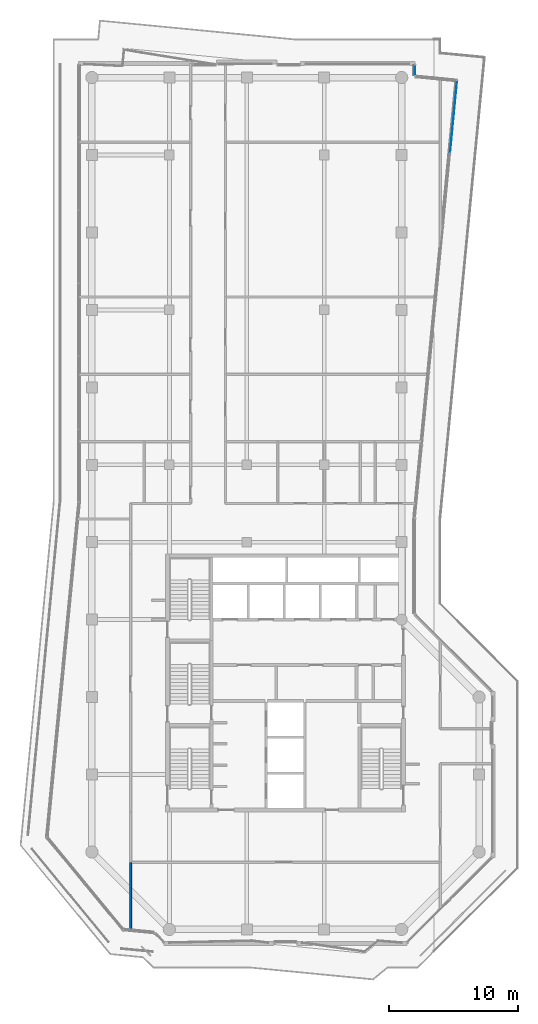
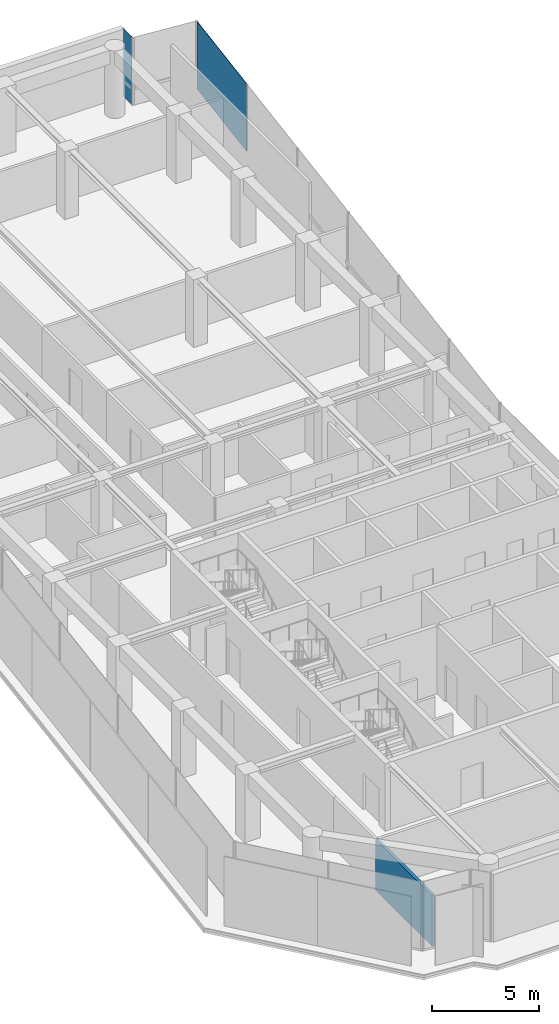
# One storey, part 20 of 25: 2 plates, 1 wall, 2 elements without a shape of their own.
"""IFC4 building model written with IfcOpenShell, lengths in metres."""

from ifc_helpers import new_model, si_unit, direction, frame, frame_2d, origin, origin_2d, place, context, subcontext, project, spatial, rectangle, extrude, material, layer, layer_set, type_object, element, aggregate, save


model = new_model("IFC4")

# Units and contexts
model_context = context("Model", 3, precision=1e-05, world=origin(), true_north=direction((0.0, 1.0)))
body_context = subcontext(model_context, "Body", "Model", "MODEL_VIEW")
ifc_project = project(units=[si_unit("LENGTHUNIT", "METRE"), si_unit("AREAUNIT", "SQUARE_METRE"), si_unit("VOLUMEUNIT", "CUBIC_METRE"), si_unit("PLANEANGLEUNIT", "RADIAN"), si_unit("MASSUNIT", "GRAM", prefix="KILO")], contexts=[model_context])

# Site, building, storey
site_placement = place(None, origin())
site = spatial("IfcSite", under=ifc_project, at=site_placement, CompositionType="ELEMENT")
building_placement = place(site_placement, origin())
building = spatial("IfcBuilding", under=site, at=building_placement, Name="Welwitschia Terrace Campus", CompositionType="ELEMENT")
storey_placement = place(building_placement, frame((0.0, 0.0, 264.199951171875)))
storey = spatial("IfcBuildingStorey", under=building, at=storey_placement, Name="L58", CompositionType="ELEMENT", Elevation=264.199951171875)

# Curtain wall, plate
ifc_material_1 = material(Name="Bronze anodised aluminium", Category="aluminium")
ifc_layer_1 = layer(ifc_material_1, 0.1201171875)
ifc_layer_set_1 = layer_set([ifc_layer_1], Name="Bronze anodised aluminium")
curtain_wall_type = type_object("IfcCurtainWallType", Name="Curtain wall CW2 tower 6000", PredefinedType="NOTDEFINED", material=ifc_layer_set_1)
curtain_wall_1_placement = place(storey_placement, origin())
curtain_wall_1 = element("IfcCurtainWall", 1, at=curtain_wall_1_placement, inside=storey, type_object=curtain_wall_type, Name="CW L58.10.0", PredefinedType="NOTDEFINED")
ifc_material_2 = material(Name="Tinted bronze-grey glass", Category="glass")
ifc_layer_2 = layer(ifc_material_2, 0.028076171875)
ifc_layer_set_2 = layer_set([ifc_layer_2], Name="Tinted bronze-grey glass")
plate_type = type_object("IfcPlateType", Name="Glass panel 28 tinted", PredefinedType="CURTAIN_PANEL", material=ifc_layer_set_2)
plate_1_placement = place(storey_placement, frame((28.025390625, 58.96630859375, 0.0), z_axis=(0.0, 0.0, 1.0), x_axis=(0.09584575252, 0.995396198367, 0.0)))
plate_1 = element("IfcPlate", 2, at=plate_1_placement, type_object=plate_type, Name="Panel L58.10.0.5", PredefinedType="CURTAIN_PANEL", context=body_context, shape_type="SweptSolid", body=[
    extrude(rectangle(XDim=5.59521484375, YDim=0.028076171875, at=origin_2d()), origin(), (0.0, 0.0, 1.0), 3.85009765625),
])
aggregate(curtain_wall_1, [plate_1])

curtain_wall_2_placement = place(storey_placement, origin())
curtain_wall_2 = element("IfcCurtainWall", 3, at=curtain_wall_2_placement, inside=storey, type_object=curtain_wall_type, Name="CW L58.12.0", PredefinedType="NOTDEFINED")
plate_2_placement = place(storey_placement, frame((25.030029296875, 62.577880859375, 0.0), z_axis=(0.0, 0.0, 1.0), x_axis=(0.0, 1.0, 0.0)))
plate_2 = element("IfcPlate", 4, at=plate_2_placement, type_object=plate_type, Name="Panel L58.12.0.0", PredefinedType="CURTAIN_PANEL", context=body_context, shape_type="SweptSolid", body=[
    extrude(rectangle(XDim=0.784423828125, YDim=0.028076171875, at=origin_2d()), origin(), (0.0, 0.0, 1.0), 3.85009765625),
])
aggregate(curtain_wall_2, [plate_2])

# Wall
ifc_material_3 = material(Name="Gypsum board on steel studs", Category="steel")
ifc_layer_3 = layer(ifc_material_3, 0.14990234375)
ifc_layer_set_3 = layer_set([ifc_layer_3], Name="Gypsum board on steel studs")
wall_type = type_object("IfcWallType", Name="Corridor partition 150 EI 30", PredefinedType="PARTITIONING", material=ifc_layer_set_3)
wall_placement = place(storey_placement, frame((3.0, -4.080078125, 0.0), z_axis=(0.0, 0.0, 1.0), x_axis=(0.0, 1.0, 0.0)))
element("IfcWall", 5, at=wall_placement, inside=storey, type_object=wall_type, Name="Partition", PredefinedType="PARTITIONING", context=body_context, shape_type="SweptSolid", body=[
    extrude(rectangle(XDim=5.280029296875, YDim=0.14990234375, at=frame_2d((2.64013671875, 0.0))), origin(), (0.0, 0.0, 1.0), 2.900146484375),
])

save(model, "model.ifc")
